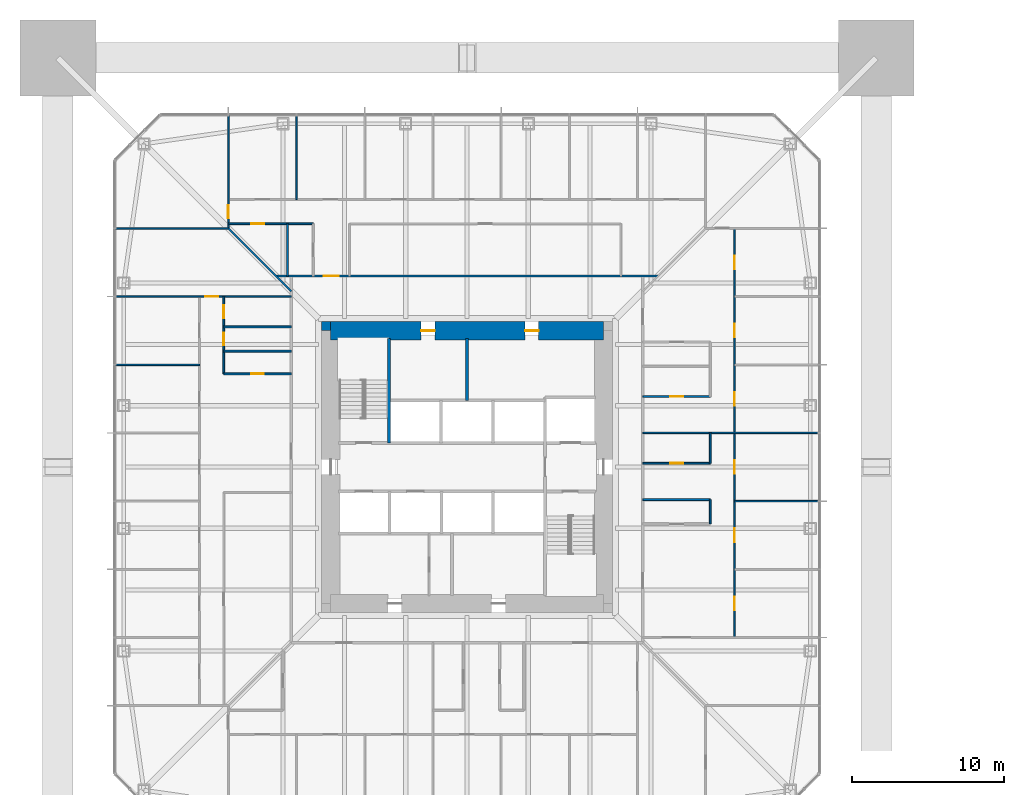
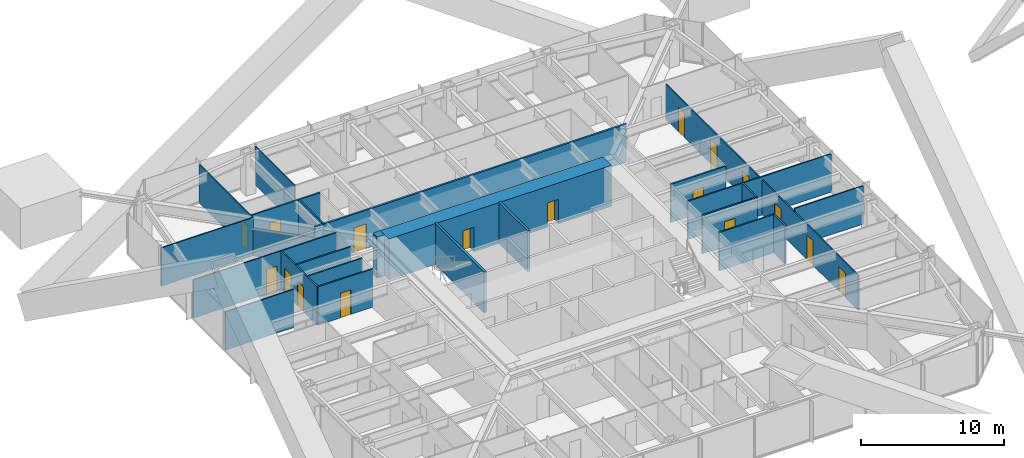
# One storey, part 18 of 28: 25 walls, 17 doors, 17 openings.
"""IFC4 building model written with IfcOpenShell, lengths in metres."""

from ifc_helpers import new_model, si_unit, direction, frame, frame_2d, origin, place, context, subcontext, project, spatial, rectangle, extrude, material, layer, layer_set, type_object, element, fill, save


model = new_model("IFC4")

# Units and contexts
model_context = context("Model", 3, precision=1e-05, world=origin(), true_north=direction((0.0, 1.0)))
body_context = subcontext(model_context, "Body", "Model", "MODEL_VIEW")
ifc_project = project(units=[si_unit("LENGTHUNIT", "METRE"), si_unit("AREAUNIT", "SQUARE_METRE"), si_unit("VOLUMEUNIT", "CUBIC_METRE"), si_unit("PLANEANGLEUNIT", "RADIAN"), si_unit("MASSUNIT", "GRAM", prefix="KILO")], contexts=[model_context])

# Site, building, storey
site_placement = place(None, origin())
site = spatial("IfcSite", under=ifc_project, at=site_placement, CompositionType="ELEMENT")
building_placement = place(site_placement, origin())
building = spatial("IfcBuilding", under=site, at=building_placement, Name="Iwan Alto Co-Living Towers", CompositionType="ELEMENT")
storey_placement = place(building_placement, frame((0.0, 0.0, 43.0)))
storey = spatial("IfcBuildingStorey", under=building, at=storey_placement, Name="L11", CompositionType="ELEMENT", Elevation=43.0)

# Wall, opening, door
ifc_material_1 = material(Name="Gypsum board")
ifc_layer_1 = layer(ifc_material_1, 0.02490234375, Name="Board", Category="Finish")
ifc_material_2 = material(Name="Steel ASTM A1003 ST33H cold-formed studs", Category="steel")
ifc_layer_2 = layer(ifc_material_2, 0.10009765625, Name="Studs", Category="Framing")
ifc_layer_3 = layer(ifc_material_1, 0.02490234375, Name="Board", Category="Finish")
ifc_layer_set_1 = layer_set([ifc_layer_1, ifc_layer_2, ifc_layer_3], Name="CORRIDOR WALL 150")
wall_type_1 = type_object("IfcWallType", Name="CORRIDOR WALL 150", PredefinedType="PARTITIONING", material=ifc_layer_set_1)
wall_1_placement = place(storey_placement, frame((-12.60009765625, 12.60009765625, 0.0), z_axis=(0.0, 0.0, 1.0), x_axis=(1.0, 0.0, 0.0)))
wall_1 = element("IfcWall", 1, at=wall_1_placement, inside=storey, type_object=wall_type_1, Name="Partition L11", PredefinedType="PARTITIONING", context=body_context, shape_type="SweptSolid", body=[
    extrude(rectangle(XDim=25.2001953125, YDim=0.14990234375, at=frame_2d((12.60009765625, 0.0))), origin(), (0.0, 0.0, 1.0), 3.27001953125),
])
opening_1_placement = place(wall_1_placement, frame((3.14990234375, 0.0, 0.0)))
opening_1 = element("IfcOpeningElement", 2, at=opening_1_placement, cuts=wall_1, Name="Opening D3", PredefinedType="OPENING", context=body_context, shape_type="SweptSolid", body=[
    extrude(rectangle(XDim=1.0, YDim=2.10009765625, at=frame_2d((0.5, 1.050048828125))), frame((0.0, 0.0849609375, 0.0), z_axis=(0.0, -1.0, 0.0), x_axis=(1.0, 0.0, 0.0)), (0.0, 0.0, 1.0), 0.169921875),
])
ifc_material_3 = material(Name="Steel frame with timber leaf", Category="steel")
door_type_1 = type_object("IfcDoorType", Name="FLAT ENTRANCE DOOR FD30S 1000X2100", OperationType="SINGLE_SWING_LEFT", PredefinedType="DOOR", material=ifc_material_3)
door_1_placement = place(opening_1_placement, origin())
door_1 = element("IfcDoor", 3, at=door_1_placement, inside=storey, type_object=door_type_1, Name="Cluster lounge door L11", OperationType="SINGLE_SWING_LEFT", OverallHeight=2.10009765625, OverallWidth=1.0, PredefinedType="DOOR", context=body_context, shape_type="SweptSolid", body=[
    extrude(rectangle(XDim=1.0, YDim=2.10009765625, at=frame_2d((0.5, 1.050048828125))), frame((0.0, 0.02490234375, 0.0), z_axis=(0.0, -1.0, 0.0), x_axis=(1.0, 0.0, 0.0)), (0.0, 0.0, 1.0), 0.050048828125),
])
fill(opening_1, door_1)

# Walls
ifc_layer_4 = layer(ifc_material_1, 0.012451171875, Name="Board", Category="Finish")
ifc_layer_5 = layer(ifc_material_2, 0.074951171875, Name="Studs", Category="Framing")
ifc_layer_6 = layer(ifc_material_1, 0.012451171875, Name="Board", Category="Finish")
ifc_layer_set_2 = layer_set([ifc_layer_4, ifc_layer_5, ifc_layer_6], Name="PARTITION 100")
wall_type_2 = type_object("IfcWallType", Name="PARTITION 100", PredefinedType="PARTITIONING", material=ifc_layer_set_2)
wall_2_placement = place(storey_placement, frame((17.64990234375, -2.25, 0.0), z_axis=(0.0, 0.0, 1.0), x_axis=(1.0, 0.0, 0.0)))
element("IfcWall", 4, at=wall_2_placement, inside=storey, type_object=wall_type_2, Name="Partition L11", PredefinedType="PARTITIONING", context=body_context, shape_type="SweptSolid", body=[
    extrude(rectangle(XDim=5.5400390625, YDim=0.10009765625, at=frame_2d((2.77001953125, 0.0))), origin(), (0.0, 0.0, 1.0), 3.27001953125),
])
wall_3_placement = place(storey_placement, frame((11.60009765625, 2.25, 0.0), z_axis=(0.0, 0.0, 1.0), x_axis=(1.0, 0.0, 0.0)))
element("IfcWall", 5, at=wall_3_placement, inside=storey, type_object=wall_type_2, Name="Partition L11", PredefinedType="PARTITIONING", context=body_context, shape_type="SweptSolid", body=[
    extrude(rectangle(XDim=11.58984375, YDim=0.10009765625, at=frame_2d((5.794921875, 0.0))), origin(), (0.0, 0.0, 1.0), 3.27001953125),
])
wall_4_placement = place(storey_placement, frame((-23.18994140625, 6.75, 0.0), z_axis=(0.0, 0.0, 1.0), x_axis=(1.0, 0.0, 0.0)))
element("IfcWall", 6, at=wall_4_placement, inside=storey, type_object=wall_type_2, Name="Partition L11", PredefinedType="PARTITIONING", context=body_context, shape_type="SweptSolid", body=[
    extrude(rectangle(XDim=5.5400390625, YDim=0.10009765625, at=frame_2d((2.77001953125, 0.0))), origin(), (0.0, 0.0, 1.0), 3.27001953125),
])

# Wall, opening, door
wall_5_placement = place(storey_placement, frame((-23.18994140625, 11.25, 0.0), z_axis=(0.0, 0.0, 1.0), x_axis=(1.0, 0.0, 0.0)))
wall_5 = element("IfcWall", 7, at=wall_5_placement, inside=storey, type_object=wall_type_2, Name="Partition L11", PredefinedType="PARTITIONING", context=body_context, shape_type="SweptSolid", body=[
    extrude(rectangle(XDim=11.58984375, YDim=0.10009765625, at=frame_2d((5.794921875, 0.0))), origin(), (0.0, 0.0, 1.0), 3.27001953125),
])
opening_2_placement = place(wall_5_placement, frame((5.9150390625, 0.0, 0.0)))
opening_2 = element("IfcOpeningElement", 8, at=opening_2_placement, cuts=wall_5, Name="Opening D2", PredefinedType="OPENING", context=body_context, shape_type="SweptSolid", body=[
    extrude(rectangle(XDim=0.85009765625, YDim=2.10009765625, at=frame_2d((0.425048828125, 1.050048828125))), frame((0.0, 0.06005859375, 0.0), z_axis=(0.0, -1.0, 0.0), x_axis=(1.0, 0.0, 0.0)), (0.0, 0.0, 1.0), 0.1201171875),
])
ifc_material_4 = material(Name="Timber leaf in steel frame", Category="steel")
door_type_2 = type_object("IfcDoorType", Name="ROOM DOOR 850X2100", OperationType="SINGLE_SWING_LEFT", PredefinedType="DOOR", material=ifc_material_4)
door_2_placement = place(opening_2_placement, frame((0.85009765625, 0.0, 0.0), z_axis=(0.0, 0.0, 1.0), x_axis=(-1.0, 0.0, 0.0)))
door_2 = element("IfcDoor", 9, at=door_2_placement, inside=storey, type_object=door_type_2, Name="Iwan study lounge door L11", OperationType="SINGLE_SWING_RIGHT", OverallHeight=2.10009765625, OverallWidth=0.85009765625, PredefinedType="DOOR", context=body_context, shape_type="SweptSolid", body=[
    extrude(rectangle(XDim=0.85009765625, YDim=2.10009765625, at=frame_2d((0.425048828125, 1.050048828125))), frame((0.0, 0.02490234375, 0.0), z_axis=(0.0, -1.0, 0.0), x_axis=(1.0, 0.0, 0.0)), (0.0, 0.0, 1.0), 0.050048828125),
])
fill(opening_2, door_2)

# Wall
wall_6_placement = place(storey_placement, frame((-23.18994140625, 15.75, 0.0), z_axis=(0.0, 0.0, 1.0), x_axis=(1.0, 0.0, 0.0)))
element("IfcWall", 10, at=wall_6_placement, inside=storey, type_object=wall_type_2, Name="Partition L11", PredefinedType="PARTITIONING", context=body_context, shape_type="SweptSolid", body=[
    extrude(rectangle(XDim=7.43994140625, YDim=0.10009765625, at=frame_2d((3.719970703125, 0.0))), origin(), (0.0, 0.0, 1.0), 3.27001953125),
])

# Wall, openings, doors
wall_7_placement = place(storey_placement, frame((17.64990234375, -11.25, 0.0), z_axis=(0.0, 0.0, 1.0), x_axis=(0.0, 1.0, 0.0)))
wall_7 = element("IfcWall", 11, at=wall_7_placement, inside=storey, type_object=wall_type_2, Name="Partition L11", PredefinedType="PARTITIONING", context=body_context, shape_type="SweptSolid", body=[
    extrude(rectangle(XDim=27.0, YDim=0.10009765625, at=frame_2d((13.5, 0.0))), origin(), (0.0, 0.0, 1.0), 3.0),
])
opening_3_placement = place(wall_7_placement, frame((1.800048828125, 0.0, 0.0)))
opening_3 = element("IfcOpeningElement", 12, at=opening_3_placement, cuts=wall_7, Name="Opening D1", PredefinedType="OPENING", context=body_context, shape_type="SweptSolid", body=[
    extrude(rectangle(XDim=0.89990234375, YDim=2.10009765625, at=frame_2d((0.449951171875, 1.050048828125))), frame((0.0, 0.06005859375, 0.0), z_axis=(0.0, -1.0, 0.0), x_axis=(1.0, 0.0, 0.0)), (0.0, 0.0, 1.0), 0.1201171875),
])
opening_4_placement = place(wall_7_placement, frame((6.300048828125, 0.0, 0.0)))
opening_4 = element("IfcOpeningElement", 13, at=opening_4_placement, cuts=wall_7, Name="Opening D1", PredefinedType="OPENING", context=body_context, shape_type="SweptSolid", body=[
    extrude(rectangle(XDim=0.89990234375, YDim=2.10009765625, at=frame_2d((0.449951171875, 1.050048828125))), frame((0.0, 0.06005859375, 0.0), z_axis=(0.0, -1.0, 0.0), x_axis=(1.0, 0.0, 0.0)), (0.0, 0.0, 1.0), 0.1201171875),
])
opening_5_placement = place(wall_7_placement, frame((10.800048828125, 0.0, 0.0)))
opening_5 = element("IfcOpeningElement", 14, at=opening_5_placement, cuts=wall_7, Name="Opening D1", PredefinedType="OPENING", context=body_context, shape_type="SweptSolid", body=[
    extrude(rectangle(XDim=0.89990234375, YDim=2.10009765625, at=frame_2d((0.449951171875, 1.050048828125))), frame((0.0, 0.06005859375, 0.0), z_axis=(0.0, -1.0, 0.0), x_axis=(1.0, 0.0, 0.0)), (0.0, 0.0, 1.0), 0.1201171875),
])
opening_6_placement = place(wall_7_placement, frame((15.300048828125, 0.0, 0.0)))
opening_6 = element("IfcOpeningElement", 15, at=opening_6_placement, cuts=wall_7, Name="Opening D1", PredefinedType="OPENING", context=body_context, shape_type="SweptSolid", body=[
    extrude(rectangle(XDim=0.89990234375, YDim=2.10009765625, at=frame_2d((0.449951171875, 1.050048828125))), frame((0.0, 0.06005859375, 0.0), z_axis=(0.0, -1.0, 0.0), x_axis=(1.0, 0.0, 0.0)), (0.0, 0.0, 1.0), 0.1201171875),
])
opening_7_placement = place(wall_7_placement, frame((19.800048828125, 0.0, 0.0)))
opening_7 = element("IfcOpeningElement", 16, at=opening_7_placement, cuts=wall_7, Name="Opening D1", PredefinedType="OPENING", context=body_context, shape_type="SweptSolid", body=[
    extrude(rectangle(XDim=0.89990234375, YDim=2.10009765625, at=frame_2d((0.449951171875, 1.050048828125))), frame((0.0, 0.06005859375, 0.0), z_axis=(0.0, -1.0, 0.0), x_axis=(1.0, 0.0, 0.0)), (0.0, 0.0, 1.0), 0.1201171875),
])
opening_8_placement = place(wall_7_placement, frame((24.300048828125, 0.0, 0.0)))
opening_8 = element("IfcOpeningElement", 17, at=opening_8_placement, cuts=wall_7, Name="Opening D1", PredefinedType="OPENING", context=body_context, shape_type="SweptSolid", body=[
    extrude(rectangle(XDim=0.89990234375, YDim=2.10009765625, at=frame_2d((0.449951171875, 1.050048828125))), frame((0.0, 0.06005859375, 0.0), z_axis=(0.0, -1.0, 0.0), x_axis=(1.0, 0.0, 0.0)), (0.0, 0.0, 1.0), 0.1201171875),
])
ifc_material_5 = material(Name="Timber leaf in steel frame", Category="steel")
door_type_3 = type_object("IfcDoorType", Name="BEDROOM DOOR 900X2100", OperationType="SINGLE_SWING_LEFT", PredefinedType="DOOR", material=ifc_material_5)
door_3_placement = place(opening_3_placement, origin())
door_3 = element("IfcDoor", 18, at=door_3_placement, inside=storey, type_object=door_type_3, Name="Study bedroom door L11", OperationType="SINGLE_SWING_LEFT", OverallHeight=2.10009765625, OverallWidth=0.89990234375, PredefinedType="DOOR", context=body_context, shape_type="SweptSolid", body=[
    extrude(rectangle(XDim=0.89990234375, YDim=2.10009765625, at=frame_2d((0.449951171875, 1.050048828125))), frame((0.0, 0.02490234375, 0.0), z_axis=(0.0, -1.0, 0.0), x_axis=(1.0, 0.0, 0.0)), (0.0, 0.0, 1.0), 0.050048828125),
])
fill(opening_3, door_3)
door_4_placement = place(opening_4_placement, origin())
door_4 = element("IfcDoor", 19, at=door_4_placement, inside=storey, type_object=door_type_3, Name="Study bedroom door L11", OperationType="SINGLE_SWING_LEFT", OverallHeight=2.10009765625, OverallWidth=0.89990234375, PredefinedType="DOOR", context=body_context, shape_type="SweptSolid", body=[
    extrude(rectangle(XDim=0.89990234375, YDim=2.10009765625, at=frame_2d((0.449951171875, 1.050048828125))), frame((0.0, 0.02490234375, 0.0), z_axis=(0.0, -1.0, 0.0), x_axis=(1.0, 0.0, 0.0)), (0.0, 0.0, 1.0), 0.050048828125),
])
fill(opening_4, door_4)
door_5_placement = place(opening_5_placement, origin())
door_5 = element("IfcDoor", 20, at=door_5_placement, inside=storey, type_object=door_type_3, Name="Study bedroom door L11", OperationType="SINGLE_SWING_RIGHT", OverallHeight=2.10009765625, OverallWidth=0.89990234375, PredefinedType="DOOR", context=body_context, shape_type="SweptSolid", body=[
    extrude(rectangle(XDim=0.89990234375, YDim=2.10009765625, at=frame_2d((0.449951171875, 1.050048828125))), frame((0.0, 0.02490234375, 0.0), z_axis=(0.0, -1.0, 0.0), x_axis=(1.0, 0.0, 0.0)), (0.0, 0.0, 1.0), 0.050048828125),
])
fill(opening_5, door_5)
door_6_placement = place(opening_6_placement, origin())
door_6 = element("IfcDoor", 21, at=door_6_placement, inside=storey, type_object=door_type_3, Name="Study bedroom door L11", OperationType="SINGLE_SWING_LEFT", OverallHeight=2.10009765625, OverallWidth=0.89990234375, PredefinedType="DOOR", context=body_context, shape_type="SweptSolid", body=[
    extrude(rectangle(XDim=0.89990234375, YDim=2.10009765625, at=frame_2d((0.449951171875, 1.050048828125))), frame((0.0, 0.02490234375, 0.0), z_axis=(0.0, -1.0, 0.0), x_axis=(1.0, 0.0, 0.0)), (0.0, 0.0, 1.0), 0.050048828125),
])
fill(opening_6, door_6)
door_7_placement = place(opening_7_placement, origin())
door_7 = element("IfcDoor", 22, at=door_7_placement, inside=storey, type_object=door_type_3, Name="Study bedroom door L11", OperationType="SINGLE_SWING_LEFT", OverallHeight=2.10009765625, OverallWidth=0.89990234375, PredefinedType="DOOR", context=body_context, shape_type="SweptSolid", body=[
    extrude(rectangle(XDim=0.89990234375, YDim=2.10009765625, at=frame_2d((0.449951171875, 1.050048828125))), frame((0.0, 0.02490234375, 0.0), z_axis=(0.0, -1.0, 0.0), x_axis=(1.0, 0.0, 0.0)), (0.0, 0.0, 1.0), 0.050048828125),
])
fill(opening_7, door_7)
door_8_placement = place(opening_8_placement, origin())
door_8 = element("IfcDoor", 23, at=door_8_placement, inside=storey, type_object=door_type_3, Name="Study bedroom door L11", OperationType="SINGLE_SWING_RIGHT", OverallHeight=2.10009765625, OverallWidth=0.89990234375, PredefinedType="DOOR", context=body_context, shape_type="SweptSolid", body=[
    extrude(rectangle(XDim=0.89990234375, YDim=2.10009765625, at=frame_2d((0.449951171875, 1.050048828125))), frame((0.0, 0.02490234375, 0.0), z_axis=(0.0, -1.0, 0.0), x_axis=(1.0, 0.0, 0.0)), (0.0, 0.0, 1.0), 0.050048828125),
])
fill(opening_8, door_8)

# Wall
wall_8_placement = place(storey_placement, frame((-11.25, 17.64990234375, 0.0), z_axis=(0.0, 0.0, 1.0), x_axis=(0.0, 1.0, 0.0)))
element("IfcWall", 24, at=wall_8_placement, inside=storey, type_object=wall_type_2, Name="Partition L11", PredefinedType="PARTITIONING", context=body_context, shape_type="SweptSolid", body=[
    extrude(rectangle(XDim=5.5400390625, YDim=0.10009765625, at=frame_2d((2.77001953125, 0.0))), origin(), (0.0, 0.0, 1.0), 3.27001953125),
])

# Wall, opening, door
wall_9_placement = place(storey_placement, frame((-15.75, 15.75, 0.0), z_axis=(0.0, 0.0, 1.0), x_axis=(0.0, 1.0, 0.0)))
wall_9 = element("IfcWall", 25, at=wall_9_placement, inside=storey, type_object=wall_type_2, Name="Partition L11", PredefinedType="PARTITIONING", context=body_context, shape_type="SweptSolid", body=[
    extrude(rectangle(XDim=7.43994140625, YDim=0.10009765625, at=frame_2d((3.719970703125, 0.0))), origin(), (0.0, 0.0, 1.0), 3.27001953125),
])
opening_9_placement = place(wall_9_placement, frame((0.675048828125, 0.0, 0.0)))
opening_9 = element("IfcOpeningElement", 26, at=opening_9_placement, cuts=wall_9, Name="Opening D2", PredefinedType="OPENING", context=body_context, shape_type="SweptSolid", body=[
    extrude(rectangle(XDim=0.85009765625, YDim=2.10009765625, at=frame_2d((0.425048828125, 1.050048828125))), frame((0.0, 0.06005859375, 0.0), z_axis=(0.0, -1.0, 0.0), x_axis=(1.0, 0.0, 0.0)), (0.0, 0.0, 1.0), 0.1201171875),
])
door_9_placement = place(opening_9_placement, frame((0.85009765625, 0.0, 0.0), z_axis=(0.0, 0.0, 1.0), x_axis=(-1.0, 0.0, 0.0)))
door_9 = element("IfcDoor", 27, at=door_9_placement, inside=storey, type_object=door_type_2, Name="Shared kitchen and dining room door L11", OperationType="SINGLE_SWING_RIGHT", OverallHeight=2.10009765625, OverallWidth=0.85009765625, PredefinedType="DOOR", context=body_context, shape_type="SweptSolid", body=[
    extrude(rectangle(XDim=0.85009765625, YDim=2.10009765625, at=frame_2d((0.425048828125, 1.050048828125))), frame((0.0, 0.02490234375, 0.0), z_axis=(0.0, -1.0, 0.0), x_axis=(1.0, 0.0, 0.0)), (0.0, 0.0, 1.0), 0.050048828125),
])
fill(opening_9, door_9)

# Walls
ifc_material_6 = material(Name="Concrete f'c 70 MPa", Category="concrete")
ifc_layer_7 = layer(ifc_material_6, 0.199951171875)
ifc_layer_set_3 = layer_set([ifc_layer_7], Name="SHAFT WALL 200")
wall_type_3 = type_object("IfcWallType", Name="SHAFT WALL 200", PredefinedType="SOLIDWALL", material=ifc_layer_set_3)
wall_10_placement = place(storey_placement, frame((0.0, 4.39990234375, 0.0), z_axis=(0.0, 0.0, 1.0), x_axis=(0.0, 1.0, 0.0)))
element("IfcWall", 28, at=wall_10_placement, inside=storey, type_object=wall_type_3, Name="Shaft wall L11", PredefinedType="SOLIDWALL", context=body_context, shape_type="SweptSolid", body=[
    extrude(rectangle(XDim=4.090087890625, YDim=0.199951171875, at=frame_2d((2.044921875, 0.0))), origin(), (0.0, 0.0, 1.0), 3.5),
])
wall_11_placement = place(storey_placement, frame((-5.14990234375, 1.60009765625, 0.0), z_axis=(0.0, 0.0, 1.0), x_axis=(0.0, 1.0, 0.0)))
element("IfcWall", 29, at=wall_11_placement, inside=storey, type_object=wall_type_3, Name="Shaft wall L11", PredefinedType="SOLIDWALL", context=body_context, shape_type="SweptSolid", body=[
    extrude(rectangle(XDim=6.889892578125, YDim=0.199951171875, at=frame_2d((3.44482421875, 0.0))), origin(), (0.0, 0.0, 1.0), 3.5),
])
ifc_material_7 = material(Name="Concrete f'c 70 MPa", Category="concrete")
ifc_layer_8 = layer(ifc_material_7, 0.60009765625)
ifc_layer_set_4 = layer_set([ifc_layer_8], Name="T1 CORE CORNER FILL 600")
wall_type_4 = type_object("IfcWallType", Name="T1 CORE CORNER FILL 600", PredefinedType="SOLIDWALL", material=ifc_layer_set_4)
wall_12_placement = place(storey_placement, frame((-9.60009765625, 9.300048828125, 0.0), z_axis=(0.0, 0.0, 1.0), x_axis=(1.0, 0.0, 0.0)))
element("IfcWall", 30, at=wall_12_placement, inside=storey, type_object=wall_type_4, Name="T1 core corner NW L11", PredefinedType="SOLIDWALL", context=body_context, shape_type="SweptSolid", body=[
    extrude(rectangle(XDim=0.60009765625, YDim=0.60009765625, at=frame_2d((0.300048828125, 0.0))), origin(), (0.0, 0.0, 1.0), 3.5),
])

# Wall, openings, doors
ifc_material_8 = material(Name="Concrete f'c 70 MPa", Category="concrete")
ifc_layer_9 = layer(ifc_material_8, 1.199951171875)
ifc_layer_set_5 = layer_set([ifc_layer_9], Name="T1 CORE WALL 1200")
wall_type_5 = type_object("IfcWallType", Name="T1 CORE WALL 1200", PredefinedType="SHEAR", material=ifc_layer_set_5)
wall_13_placement = place(storey_placement, frame((9.0, 9.0, 0.0), z_axis=(0.0, 0.0, 1.0), x_axis=(-1.0, 0.0, 0.0)))
wall_13 = element("IfcWall", 31, at=wall_13_placement, inside=storey, type_object=wall_type_5, Name="T1 core wall N L11", PredefinedType="SHEAR", context=body_context, shape_type="SweptSolid", body=[
    extrude(rectangle(XDim=18.0, YDim=1.199951171875, at=frame_2d((9.0, 0.0))), origin(), (0.0, 0.0, 1.0), 3.5),
])
opening_10_placement = place(wall_13_placement, frame((11.125, 0.0, 0.0)))
opening_10 = element("IfcOpeningElement", 32, at=opening_10_placement, cuts=wall_13, Name="Opening D8", PredefinedType="OPENING", context=body_context, shape_type="SweptSolid", body=[
    extrude(rectangle(XDim=0.89990234375, YDim=2.10009765625, at=frame_2d((0.449951171875, 1.050048828125))), frame((0.0, 0.60986328125, 0.0), z_axis=(0.0, -1.0, 0.0), x_axis=(1.0, 0.0, 0.0)), (0.0, 0.0, 1.0), 1.219970703125),
])
opening_11_placement = place(wall_13_placement, frame((4.27490234375, 0.0, 0.0)))
opening_11 = element("IfcOpeningElement", 33, at=opening_11_placement, cuts=wall_13, Name="Opening D8", PredefinedType="OPENING", context=body_context, shape_type="SweptSolid", body=[
    extrude(rectangle(XDim=0.89990234375, YDim=2.10009765625, at=frame_2d((0.449951171875, 1.050048828125))), frame((0.0, 0.60986328125, 0.0), z_axis=(0.0, -1.0, 0.0), x_axis=(1.0, 0.0, 0.0)), (0.0, 0.0, 1.0), 1.219970703125),
])
ifc_material_9 = material(Name="Steel frame with timber leaf", Category="steel")
door_type_4 = type_object("IfcDoorType", Name="RISER DOOR FD120 900X2100", OperationType="SINGLE_SWING_LEFT", PredefinedType="DOOR", material=ifc_material_9)
door_10_placement = place(opening_10_placement, origin())
door_10 = element("IfcDoor", 34, at=door_10_placement, inside=storey, type_object=door_type_4, Name="Electrical riser core door L11", OperationType="SINGLE_SWING_RIGHT", OverallHeight=2.10009765625, OverallWidth=0.89990234375, PredefinedType="DOOR", context=body_context, shape_type="SweptSolid", body=[
    extrude(rectangle(XDim=0.89990234375, YDim=2.10009765625, at=frame_2d((0.449951171875, 1.050048828125))), frame((0.0, 0.02490234375, 0.0), z_axis=(0.0, -1.0, 0.0), x_axis=(1.0, 0.0, 0.0)), (0.0, 0.0, 1.0), 0.050048828125),
])
fill(opening_10, door_10)
door_11_placement = place(opening_11_placement, origin())
door_11 = element("IfcDoor", 35, at=door_11_placement, inside=storey, type_object=door_type_4, Name="Water and drainage riser core door L11", OperationType="SINGLE_SWING_RIGHT", OverallHeight=2.10009765625, OverallWidth=0.89990234375, PredefinedType="DOOR", context=body_context, shape_type="SweptSolid", body=[
    extrude(rectangle(XDim=0.89990234375, YDim=2.10009765625, at=frame_2d((0.449951171875, 1.050048828125))), frame((0.0, 0.02490234375, 0.0), z_axis=(0.0, -1.0, 0.0), x_axis=(1.0, 0.0, 0.0)), (0.0, 0.0, 1.0), 0.050048828125),
])
fill(opening_11, door_11)

# Wall
ifc_material_10 = material(Name="Cement board")
ifc_layer_10 = layer(ifc_material_10, 0.012451171875, Name="Board", Category="Finish")
ifc_layer_11 = layer(ifc_material_2, 0.094970703125, Name="Studs", Category="Framing")
ifc_layer_12 = layer(ifc_material_10, 0.012451171875, Name="Board", Category="Finish")
ifc_layer_set_6 = layer_set([ifc_layer_10, ifc_layer_11, ifc_layer_12], Name="WET AREA PARTITION 120")
wall_type_6 = type_object("IfcWallType", Name="WET AREA PARTITION 120", PredefinedType="PARTITIONING", material=ifc_layer_set_6)
wall_14_placement = place(storey_placement, frame((11.60009765625, -2.14990234375, 0.0), z_axis=(0.0, 0.0, 1.0), x_axis=(1.0, 0.0, 0.0)))
element("IfcWall", 36, at=wall_14_placement, inside=storey, type_object=wall_type_6, Name="Partition L11", PredefinedType="PARTITIONING", context=body_context, shape_type="SweptSolid", body=[
    extrude(rectangle(XDim=4.449951171875, YDim=0.1201171875, at=frame_2d((2.22509765625, 0.0))), origin(), (0.0, 0.0, 1.0), 3.27001953125),
])

# Wall, opening, door
wall_15_placement = place(storey_placement, frame((11.60009765625, 0.25, 0.0), z_axis=(0.0, 0.0, 1.0), x_axis=(1.0, 0.0, 0.0)))
wall_15 = element("IfcWall", 37, at=wall_15_placement, inside=storey, type_object=wall_type_6, Name="Partition L11", PredefinedType="PARTITIONING", context=body_context, shape_type="SweptSolid", body=[
    extrude(rectangle(XDim=4.449951171875, YDim=0.1201171875, at=frame_2d((2.22509765625, 0.0))), origin(), (0.0, 0.0, 1.0), 3.27001953125),
])
opening_12_placement = place(wall_15_placement, frame((1.800048828125, 0.0, 0.0)))
opening_12 = element("IfcOpeningElement", 38, at=opening_12_placement, cuts=wall_15, Name="Opening D2", PredefinedType="OPENING", context=body_context, shape_type="SweptSolid", body=[
    extrude(rectangle(XDim=0.85009765625, YDim=2.10009765625, at=frame_2d((0.425048828125, 1.050048828125))), frame((0.0, 0.070068359375, 0.0), z_axis=(0.0, -1.0, 0.0), x_axis=(1.0, 0.0, 0.0)), (0.0, 0.0, 1.0), 0.14013671875),
])
door_12_placement = place(opening_12_placement, frame((0.85009765625, 0.0, 0.0), z_axis=(0.0, 0.0, 1.0), x_axis=(-1.0, 0.0, 0.0)))
door_12 = element("IfcDoor", 39, at=door_12_placement, inside=storey, type_object=door_type_2, Name="Laundry door L11", OperationType="SINGLE_SWING_RIGHT", OverallHeight=2.10009765625, OverallWidth=0.85009765625, PredefinedType="DOOR", context=body_context, shape_type="SweptSolid", body=[
    extrude(rectangle(XDim=0.85009765625, YDim=2.10009765625, at=frame_2d((0.425048828125, 1.050048828125))), frame((0.0, 0.02490234375, 0.0), z_axis=(0.0, -1.0, 0.0), x_axis=(1.0, 0.0, 0.0)), (0.0, 0.0, 1.0), 0.050048828125),
])
fill(opening_12, door_12)

wall_16_placement = place(storey_placement, frame((11.60009765625, 4.64990234375, 0.0), z_axis=(0.0, 0.0, 1.0), x_axis=(1.0, 0.0, 0.0)))
wall_16 = element("IfcWall", 40, at=wall_16_placement, inside=storey, type_object=wall_type_6, Name="Partition L11", PredefinedType="PARTITIONING", context=body_context, shape_type="SweptSolid", body=[
    extrude(rectangle(XDim=4.449951171875, YDim=0.1201171875, at=frame_2d((2.22509765625, 0.0))), origin(), (0.0, 0.0, 1.0), 3.27001953125),
])
opening_13_placement = place(wall_16_placement, frame((1.800048828125, 0.0, 0.0)))
opening_13 = element("IfcOpeningElement", 41, at=opening_13_placement, cuts=wall_16, Name="Opening D2", PredefinedType="OPENING", context=body_context, shape_type="SweptSolid", body=[
    extrude(rectangle(XDim=0.85009765625, YDim=2.10009765625, at=frame_2d((0.425048828125, 1.050048828125))), frame((0.0, 0.070068359375, 0.0), z_axis=(0.0, -1.0, 0.0), x_axis=(1.0, 0.0, 0.0)), (0.0, 0.0, 1.0), 0.14013671875),
])
door_13_placement = place(opening_13_placement, frame((0.85009765625, 0.0, 0.0), z_axis=(0.0, 0.0, 1.0), x_axis=(-1.0, 0.0, 0.0)))
door_13 = element("IfcDoor", 42, at=door_13_placement, inside=storey, type_object=door_type_2, Name="Laundry door L11", OperationType="SINGLE_SWING_RIGHT", OverallHeight=2.10009765625, OverallWidth=0.85009765625, PredefinedType="DOOR", context=body_context, shape_type="SweptSolid", body=[
    extrude(rectangle(XDim=0.85009765625, YDim=2.10009765625, at=frame_2d((0.425048828125, 1.050048828125))), frame((0.0, 0.02490234375, 0.0), z_axis=(0.0, -1.0, 0.0), x_axis=(1.0, 0.0, 0.0)), (0.0, 0.0, 1.0), 0.050048828125),
])
fill(opening_13, door_13)

wall_17_placement = place(storey_placement, frame((-16.050048828125, 6.14990234375, 0.0), z_axis=(0.0, 0.0, 1.0), x_axis=(1.0, 0.0, 0.0)))
wall_17 = element("IfcWall", 43, at=wall_17_placement, inside=storey, type_object=wall_type_6, Name="Partition L11", PredefinedType="PARTITIONING", context=body_context, shape_type="SweptSolid", body=[
    extrude(rectangle(XDim=4.449951171875, YDim=0.1201171875, at=frame_2d((2.22509765625, 0.0))), origin(), (0.0, 0.0, 1.0), 3.27001953125),
])
opening_14_placement = place(wall_17_placement, frame((1.800048828125, 0.0, 0.0)))
opening_14 = element("IfcOpeningElement", 44, at=opening_14_placement, cuts=wall_17, Name="Opening D2", PredefinedType="OPENING", context=body_context, shape_type="SweptSolid", body=[
    extrude(rectangle(XDim=0.85009765625, YDim=2.10009765625, at=frame_2d((0.425048828125, 1.050048828125))), frame((0.0, 0.070068359375, 0.0), z_axis=(0.0, -1.0, 0.0), x_axis=(1.0, 0.0, 0.0)), (0.0, 0.0, 1.0), 0.14013671875),
])
door_14_placement = place(opening_14_placement, frame((0.85009765625, 0.0, 0.0), z_axis=(0.0, 0.0, 1.0), x_axis=(-1.0, 0.0, 0.0)))
door_14 = element("IfcDoor", 45, at=door_14_placement, inside=storey, type_object=door_type_2, Name="Bathroom door L11", OperationType="SINGLE_SWING_LEFT", OverallHeight=2.10009765625, OverallWidth=0.85009765625, PredefinedType="DOOR", context=body_context, shape_type="SweptSolid", body=[
    extrude(rectangle(XDim=0.85009765625, YDim=2.10009765625, at=frame_2d((0.425048828125, 1.050048828125))), frame((0.0, 0.02490234375, 0.0), z_axis=(0.0, -1.0, 0.0), x_axis=(1.0, 0.0, 0.0)), (0.0, 0.0, 1.0), 0.050048828125),
])
fill(opening_14, door_14)

# Walls
for number, where, z_axis, x_axis, name in (
    (46, (-16.050048828125, 7.64990234375, 0.0), (0.0, 0.0, 1.0), (1.0, 0.0, 0.0), "Partition L11"),
    (47, (-16.050048828125, 9.25, 0.0), (0.0, 0.0, 1.0), (1.0, 0.0, 0.0), "Partition L11"),
):
    element("IfcWall", number, at=place(storey_placement, frame(where, z_axis=z_axis, x_axis=x_axis)), inside=storey, type_object=wall_type_6, Name=name, PredefinedType="PARTITIONING", context=body_context, shape_type="SweptSolid", body=[
        extrude(rectangle(XDim=4.449951171875, YDim=0.1201171875, at=frame_2d((2.22509765625, 0.0))), origin(), (0.0, 0.0, 1.0), 3.27001953125),
    ])

# Wall, opening, door
wall_18_placement = place(storey_placement, frame((-15.75, 16.050048828125, 0.0), z_axis=(0.0, 0.0, 1.0), x_axis=(1.0, 0.0, 0.0)))
wall_18 = element("IfcWall", 48, at=wall_18_placement, inside=storey, type_object=wall_type_6, Name="Partition L11", PredefinedType="PARTITIONING", context=body_context, shape_type="SweptSolid", body=[
    extrude(rectangle(XDim=5.60009765625, YDim=0.1201171875, at=frame_2d((2.800048828125, 0.0))), origin(), (0.0, 0.0, 1.0), 3.27001953125),
])
opening_15_placement = place(wall_18_placement, frame((1.52490234375, 0.0, 0.0)))
opening_15 = element("IfcOpeningElement", 49, at=opening_15_placement, cuts=wall_18, Name="Opening D2", PredefinedType="OPENING", context=body_context, shape_type="SweptSolid", body=[
    extrude(rectangle(XDim=0.85009765625, YDim=2.10009765625, at=frame_2d((0.425048828125, 1.050048828125))), frame((0.0, 0.070068359375, 0.0), z_axis=(0.0, -1.0, 0.0), x_axis=(1.0, 0.0, 0.0)), (0.0, 0.0, 1.0), 0.14013671875),
])
door_15_placement = place(opening_15_placement, origin())
door_15 = element("IfcDoor", 50, at=door_15_placement, inside=storey, type_object=door_type_2, Name="Accessible bathroom door L11", OperationType="SINGLE_SWING_LEFT", OverallHeight=2.10009765625, OverallWidth=0.85009765625, PredefinedType="DOOR", context=body_context, shape_type="SweptSolid", body=[
    extrude(rectangle(XDim=0.85009765625, YDim=2.10009765625, at=frame_2d((0.425048828125, 1.050048828125))), frame((0.0, 0.02490234375, 0.0), z_axis=(0.0, -1.0, 0.0), x_axis=(1.0, 0.0, 0.0)), (0.0, 0.0, 1.0), 0.050048828125),
])
fill(opening_15, door_15)

# Walls
wall_19_placement = place(storey_placement, frame((16.050048828125, -3.75, 0.0), z_axis=(0.0, 0.0, 1.0), x_axis=(0.0, 1.0, 0.0)))
element("IfcWall", 51, at=wall_19_placement, inside=storey, type_object=wall_type_6, Name="Partition L11", PredefinedType="PARTITIONING", context=body_context, shape_type="SweptSolid", body=[
    extrude(rectangle(XDim=1.60009765625, YDim=0.1201171875, at=frame_2d((0.800048828125, 0.0))), origin(), (0.0, 0.0, 1.0), 3.27001953125),
])
wall_20_placement = place(storey_placement, frame((16.050048828125, 0.25, 0.0), z_axis=(0.0, 0.0, 1.0), x_axis=(0.0, 1.0, 0.0)))
element("IfcWall", 52, at=wall_20_placement, inside=storey, type_object=wall_type_6, Name="Partition L11", PredefinedType="PARTITIONING", context=body_context, shape_type="SweptSolid", body=[
    extrude(rectangle(XDim=2.0, YDim=0.1201171875, at=frame_2d((1.0, 0.0))), origin(), (0.0, 0.0, 1.0), 3.27001953125),
])
wall_21_placement = place(storey_placement, frame((-11.85009765625, 12.60009765625, 0.0), z_axis=(0.0, 0.0, 1.0), x_axis=(0.0, 1.0, 0.0)))
element("IfcWall", 53, at=wall_21_placement, inside=storey, type_object=wall_type_6, Name="Partition L11", PredefinedType="PARTITIONING", context=body_context, shape_type="SweptSolid", body=[
    extrude(rectangle(XDim=3.449951171875, YDim=0.1201171875, at=frame_2d((1.72509765625, 0.0))), origin(), (0.0, 0.0, 1.0), 3.27001953125),
])

# Wall, openings, doors
wall_22_placement = place(storey_placement, frame((-16.050048828125, 6.14990234375, 0.0), z_axis=(0.0, 0.0, 1.0), x_axis=(0.0, 1.0, 0.0)))
wall_22 = element("IfcWall", 54, at=wall_22_placement, inside=storey, type_object=wall_type_6, Name="Partition L11", PredefinedType="PARTITIONING", context=body_context, shape_type="SweptSolid", body=[
    extrude(rectangle(XDim=5.10009765625, YDim=0.1201171875, at=frame_2d((2.550048828125, 0.0))), origin(), (0.0, 0.0, 1.0), 3.27001953125),
])
opening_16_placement = place(wall_22_placement, frame((3.675048828125, 0.0, 0.0)))
opening_16 = element("IfcOpeningElement", 55, at=opening_16_placement, cuts=wall_22, Name="Opening D2", PredefinedType="OPENING", context=body_context, shape_type="SweptSolid", body=[
    extrude(rectangle(XDim=0.85009765625, YDim=2.10009765625, at=frame_2d((0.425048828125, 1.050048828125))), frame((0.0, 0.070068359375, 0.0), z_axis=(0.0, -1.0, 0.0), x_axis=(1.0, 0.0, 0.0)), (0.0, 0.0, 1.0), 0.14013671875),
])
opening_17_placement = place(wall_22_placement, frame((1.875, 0.0, 0.0)))
opening_17 = element("IfcOpeningElement", 56, at=opening_17_placement, cuts=wall_22, Name="Opening D2", PredefinedType="OPENING", context=body_context, shape_type="SweptSolid", body=[
    extrude(rectangle(XDim=0.85009765625, YDim=2.10009765625, at=frame_2d((0.425048828125, 1.050048828125))), frame((0.0, 0.070068359375, 0.0), z_axis=(0.0, -1.0, 0.0), x_axis=(1.0, 0.0, 0.0)), (0.0, 0.0, 1.0), 0.14013671875),
])
door_16_placement = place(opening_16_placement, origin())
door_16 = element("IfcDoor", 57, at=door_16_placement, inside=storey, type_object=door_type_2, Name="Laundry door L11", OperationType="SINGLE_SWING_RIGHT", OverallHeight=2.10009765625, OverallWidth=0.85009765625, PredefinedType="DOOR", context=body_context, shape_type="SweptSolid", body=[
    extrude(rectangle(XDim=0.85009765625, YDim=2.10009765625, at=frame_2d((0.425048828125, 1.050048828125))), frame((0.0, 0.02490234375, 0.0), z_axis=(0.0, -1.0, 0.0), x_axis=(1.0, 0.0, 0.0)), (0.0, 0.0, 1.0), 0.050048828125),
])
fill(opening_16, door_16)
door_17_placement = place(opening_17_placement, origin())
door_17 = element("IfcDoor", 58, at=door_17_placement, inside=storey, type_object=door_type_2, Name="Accessible bathroom door L11", OperationType="SINGLE_SWING_RIGHT", OverallHeight=2.10009765625, OverallWidth=0.85009765625, PredefinedType="DOOR", context=body_context, shape_type="SweptSolid", body=[
    extrude(rectangle(XDim=0.85009765625, YDim=2.10009765625, at=frame_2d((0.425048828125, 1.050048828125))), frame((0.0, 0.02490234375, 0.0), z_axis=(0.0, -1.0, 0.0), x_axis=(1.0, 0.0, 0.0)), (0.0, 0.0, 1.0), 0.050048828125),
])
fill(opening_17, door_17)

# Wall
wall_23_placement = place(storey_placement, frame((-11.60009765625, 11.60009765625, 0.0), z_axis=(0.0, 0.0, 1.0), x_axis=(-0.707106781187, 0.707106781187, 0.0)))
element("IfcWall", 59, at=wall_23_placement, inside=storey, type_object=wall_type_6, Name="Partition L11", PredefinedType="PARTITIONING", context=body_context, shape_type="SweptSolid", body=[
    extrude(rectangle(XDim=5.868896484375, YDim=0.1201171875, at=frame_2d((2.9345703125, 0.0))), origin(), (0.0, 0.0, 1.0), 2.343017578125),
])

save(model, "model.ifc")
